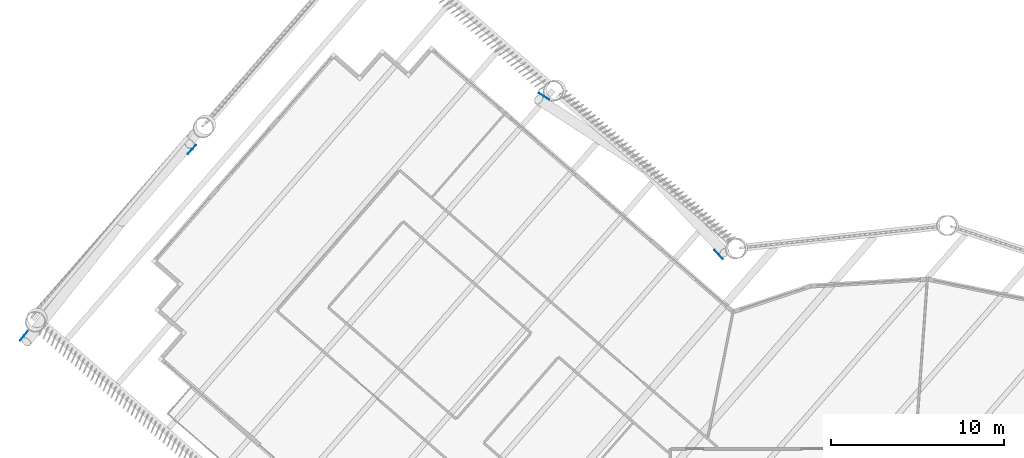
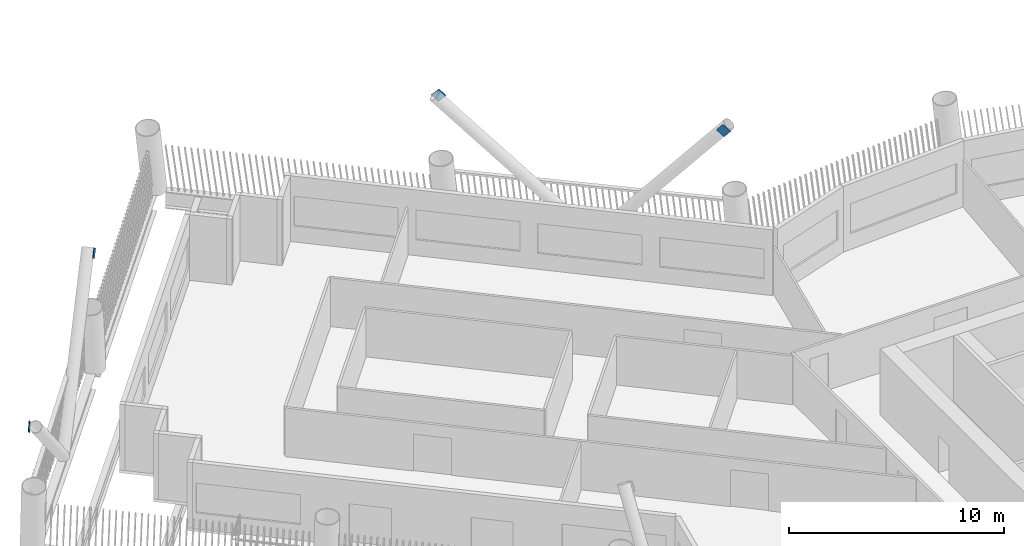
# One storey, part 10 of 21: 4 discrete accessories.
"""IFC4 building model written with IfcOpenShell, lengths in metres."""

from ifc_helpers import new_model, si_unit, direction, frame, origin, origin_2d, place, context, subcontext, project, spatial, rectangle, extrude, material, material_profile, profile_set, type_object, element, save


model = new_model("IFC4")

# Units and contexts
model_context = context("Model", 3, precision=1e-05, world=origin(), true_north=direction((0.0, 1.0)))
body_context = subcontext(model_context, "Body", "Model", "MODEL_VIEW")
ifc_project = project(units=[si_unit("LENGTHUNIT", "METRE"), si_unit("AREAUNIT", "SQUARE_METRE"), si_unit("VOLUMEUNIT", "CUBIC_METRE"), si_unit("PLANEANGLEUNIT", "RADIAN"), si_unit("MASSUNIT", "GRAM", prefix="KILO")], contexts=[model_context])

# Site, building, storey
site_placement = place(None, origin())
site = spatial("IfcSite", under=ifc_project, at=site_placement, CompositionType="ELEMENT")
building_placement = place(site_placement, origin())
building = spatial("IfcBuilding", under=site, at=building_placement, Name="Tarsis Ring Headquarters", CompositionType="ELEMENT")
storey_placement = place(building_placement, frame((0.0, 0.0, 100.60009765625)))
storey = spatial("IfcBuildingStorey", under=building, at=storey_placement, Name="L22", CompositionType="ELEMENT", Elevation=100.60009765625)

# Discrete accessories
ifc_material = material(Name="Structural steel S355", Category="steel")
ifc_material_profile = material_profile(ifc_material, rectangle(XDim=0.02490234375, YDim=0.5, at=origin_2d()), Name="PL 25x500")
ifc_profile_set = profile_set([ifc_material_profile], Name="Structural steel S355")
discrete_accessory_type = type_object("IfcDiscreteAccessoryType", Name="Gusset plate Exo brace 25", PredefinedType="BRACKET", material=ifc_profile_set)
discrete_accessory_placement = place(storey_placement, frame((-20.415771484375, 36.435791015625, 7.7998046875), z_axis=(0.578792564393, -0.373650896001, -0.724833894987), x_axis=(0.542369077511, 0.840140335753, 0.0)))
element("IfcDiscreteAccessory", 1, at=discrete_accessory_placement, inside=storey, type_object=discrete_accessory_type, Name="Gusset plate GP5", PredefinedType="BRACKET", context=body_context, shape_type="SweptSolid", body=[
    extrude(rectangle(XDim=0.02490234375, YDim=0.5, at=origin_2d()), origin(), (0.0, 0.0, 1.0), 0.499755859375),
])
for number, where, z_axis, x_axis, name in (
    (2, (-10.095947265625, 27.1064453125, 7.7998046875), (-0.439909051191, 0.47262148896, -0.763615711502), (-0.73198499883, -0.681320747878, 0.0), "Gusset plate GP5"),
    (3, (-50.39697265625, 22.379150390625, 7.7998046875), (0.465373862703, 0.588431799116, -0.661192245646), (-0.784349304509, 0.620319408463, 0.0), "Gusset plate GP5"),
    (4, (-40.491455078125, 33.389892578125, 7.7998046875), (-0.400826779177, -0.456483603569, -0.794330291986), (0.751430506432, -0.659812241477, 0.0), "Gusset plate GP5"),
):
    element("IfcDiscreteAccessory", number, at=place(storey_placement, frame(where, z_axis=z_axis, x_axis=x_axis)), inside=storey, type_object=discrete_accessory_type, Name=name, PredefinedType="BRACKET", context=body_context, shape_type="SweptSolid", body=[
        extrude(rectangle(XDim=0.02490234375, YDim=0.5, at=origin_2d()), origin(), (0.0, 0.0, 1.0), 0.5),
    ])

save(model, "model.ifc")
